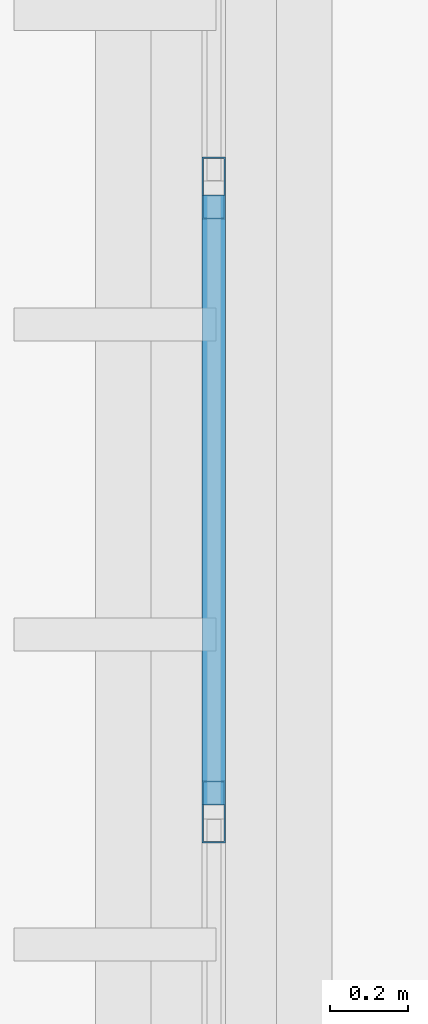
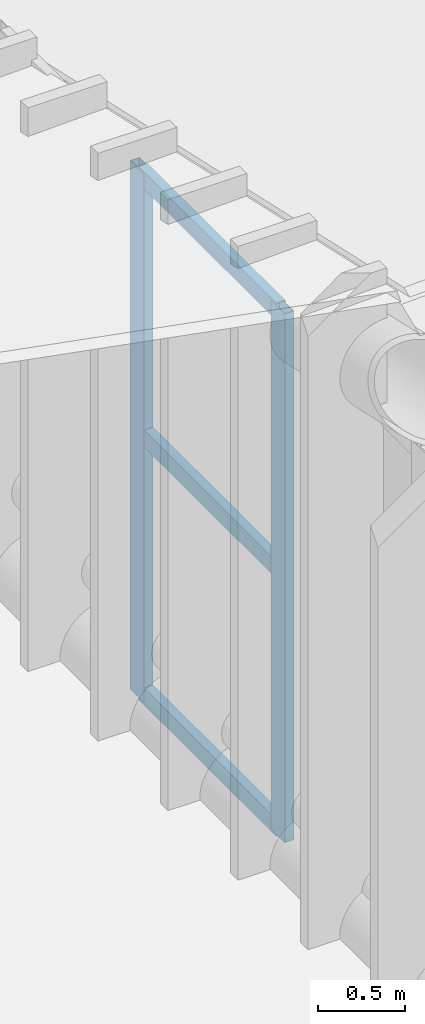
# One storey, part 211 of 397: 5 members, 1 element without a shape of its own.
"""IFC4 building model written with IfcOpenShell, lengths in metres."""

from ifc_helpers import new_model, si_unit, direction, frame, origin, origin_2d, place, context, subcontext, project, spatial, hollow_rectangle, extrude, material, material_profile, profile_set, type_object, element, aggregate, save


model = new_model("IFC4")

# Units and contexts
model_context = context("Model", 3, precision=1e-05, world=origin(), true_north=direction((0.0, 1.0)))
body_context = subcontext(model_context, "Body", "Model", "MODEL_VIEW")
ifc_project = project(units=[si_unit("LENGTHUNIT", "METRE"), si_unit("AREAUNIT", "SQUARE_METRE"), si_unit("VOLUMEUNIT", "CUBIC_METRE"), si_unit("PLANEANGLEUNIT", "RADIAN"), si_unit("MASSUNIT", "GRAM", prefix="KILO")], contexts=[model_context])

# Site, building, storey
site_placement = place(None, origin())
site = spatial("IfcSite", under=ifc_project, at=site_placement, CompositionType="ELEMENT")
building_placement = place(site_placement, origin())
building = spatial("IfcBuilding", under=site, at=building_placement, Name="Qandorah Velis Arena", CompositionType="ELEMENT")
storey_placement = place(building_placement, frame((0.0, 0.0, 27.5)))
storey = spatial("IfcBuildingStorey", under=building, at=storey_placement, Name="RF", CompositionType="ELEMENT", Elevation=27.5)

# Curtain wall, members
ifc_material_1 = material(Name="Solar-control low-E double glazing", Category="glass")
curtain_wall_type = type_object("IfcCurtainWallType", Name="ARC-CW-SYS07", PredefinedType="USERDEFINED", material=ifc_material_1)
curtain_wall_placement = place(storey_placement, origin())
curtain_wall = element("IfcCurtainWall", 1, at=curtain_wall_placement, inside=storey, type_object=curtain_wall_type, Name="Unitised curtain wall CROWN-1-07S1", ObjectType="UNITISED CURTAIN WALL", PredefinedType="USERDEFINED")
ifc_material_2 = material(Name="Champagne-bronze anodized aluminium 6063-T6", Category="aluminium")
ifc_material_profile_1 = material_profile(ifc_material_2, hollow_rectangle(XDim=0.06005859375, YDim=0.159912109375, WallThickness=0.00341796875, at=origin_2d()), Name="ALU MULLION 60x160")
ifc_profile_set_1 = profile_set([ifc_material_profile_1], Name="Champagne-bronze anodized aluminium 6063-T6")
member_type_1 = type_object("IfcMemberType", Name="ARC-CWM-160", PredefinedType="MULLION", material=ifc_profile_set_1)
member_1_placement = place(storey_placement, frame((14.39990234375, 104.742431640625, -0.014892578125), z_axis=(0.0, 0.0, 1.0), x_axis=(-1.0, 0.0, 0.0)))
member_1 = element("IfcMember", 2, at=member_1_placement, type_object=member_type_1, Name="CW07 mullion 3", PredefinedType="MULLION", context=body_context, shape_type="SweptSolid", body=[
    extrude(hollow_rectangle(XDim=0.06005859375, YDim=0.159912109375, WallThickness=0.00341796875, at=origin_2d()), origin(), (0.0, 0.0, 1.0), 3.6904296875),
])
member_2_placement = place(storey_placement, frame((14.39990234375, 106.351318359375, -0.014892578125), z_axis=(0.0, 0.0, 1.0), x_axis=(-1.0, 0.0, 0.0)))
member_2 = element("IfcMember", 3, at=member_2_placement, type_object=member_type_1, Name="CW07 mullion 4", PredefinedType="MULLION", context=body_context, shape_type="SweptSolid", body=[
    extrude(hollow_rectangle(XDim=0.06005859375, YDim=0.159912109375, WallThickness=0.00341796875, at=origin_2d()), origin(), (0.0, 0.0, 1.0), 3.6904296875),
])
ifc_material_profile_2 = material_profile(ifc_material_2, hollow_rectangle(XDim=0.06005859375, YDim=0.1201171875, WallThickness=0.0029296875, at=origin_2d()), Name="ALU TRANSOM 60x120")
ifc_profile_set_2 = profile_set([ifc_material_profile_2], Name="Champagne-bronze anodized aluminium 6063-T6")
member_type_2 = type_object("IfcMemberType", Name="ARC-CWT-120", PredefinedType="USERDEFINED", material=ifc_profile_set_2)
member_3_placement = place(storey_placement, frame((14.39990234375, 104.760498046875, 0.030029296875), z_axis=(0.0, 1.0, 0.0), x_axis=(-1.0, 0.0, 0.0)))
member_3 = element("IfcMember", 4, at=member_3_placement, type_object=member_type_2, Name="CW07 transom 3.1", ObjectType="TRANSOM", PredefinedType="USERDEFINED", context=body_context, shape_type="SweptSolid", body=[
    extrude(hollow_rectangle(XDim=0.06005859375, YDim=0.1201171875, WallThickness=0.0029296875, at=origin_2d()), origin(), (0.0, 0.0, 1.0), 1.57275390625),
])
member_4_placement = place(storey_placement, frame((14.39990234375, 104.760498046875, 1.830078125), z_axis=(0.0, 1.0, 0.0), x_axis=(-1.0, 0.0, 0.0)))
member_4 = element("IfcMember", 5, at=member_4_placement, type_object=member_type_2, Name="CW07 transom 3.2", ObjectType="TRANSOM", PredefinedType="USERDEFINED", context=body_context, shape_type="SweptSolid", body=[
    extrude(hollow_rectangle(XDim=0.06005859375, YDim=0.1201171875, WallThickness=0.0029296875, at=origin_2d()), origin(), (0.0, 0.0, 1.0), 1.57275390625),
])
member_5_placement = place(storey_placement, frame((14.39990234375, 104.760498046875, 3.630615234375), z_axis=(0.0, 1.0, 0.0), x_axis=(-1.0, 0.0, 0.0)))
member_5 = element("IfcMember", 6, at=member_5_placement, type_object=member_type_2, Name="CW07 transom 3.3", ObjectType="TRANSOM", PredefinedType="USERDEFINED", context=body_context, shape_type="SweptSolid", body=[
    extrude(hollow_rectangle(XDim=0.06005859375, YDim=0.1201171875, WallThickness=0.0029296875, at=origin_2d()), origin(), (0.0, 0.0, 1.0), 1.57275390625),
])
aggregate(curtain_wall, [member_1, member_2, member_3, member_4, member_5])

save(model, "model.ifc")
